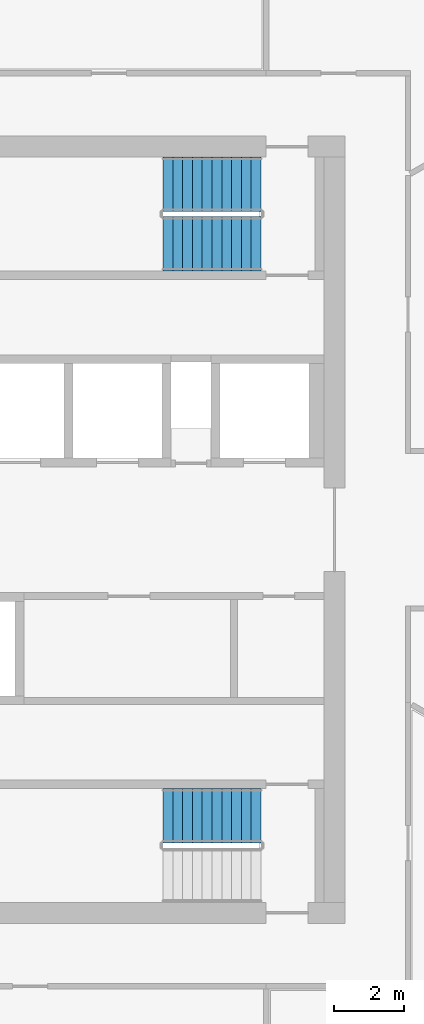
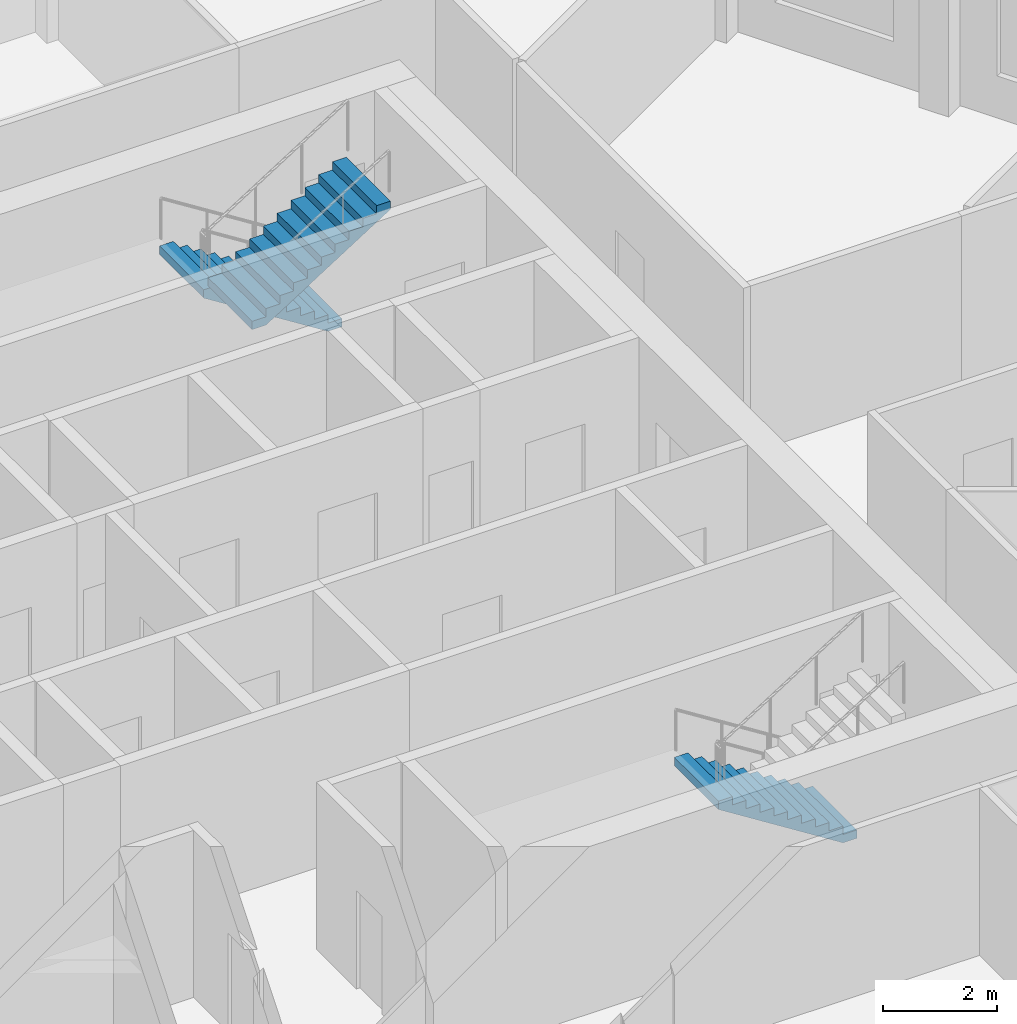
# One storey, part 7 of 10: 3 stair flights, 2 elements without a shape of their own.
"""IFC4 building model written with IfcOpenShell, lengths in metres."""

from ifc_helpers import new_model, si_unit, direction, frame, origin, place, context, subcontext, project, spatial, polyline, outline, extrude, material, type_object, element, aggregate, save


model = new_model("IFC4")

# Units and contexts
model_context = context("Model", 3, precision=1e-05, world=origin(), true_north=direction((0.0, 1.0)))
body_context = subcontext(model_context, "Body", "Model", "MODEL_VIEW")
ifc_project = project(units=[si_unit("LENGTHUNIT", "METRE"), si_unit("AREAUNIT", "SQUARE_METRE"), si_unit("VOLUMEUNIT", "CUBIC_METRE"), si_unit("PLANEANGLEUNIT", "RADIAN"), si_unit("MASSUNIT", "GRAM", prefix="KILO")], contexts=[model_context])

# Site, building, storey
site_placement = place(None, origin())
site = spatial("IfcSite", under=ifc_project, at=site_placement, CompositionType="ELEMENT")
building_placement = place(site_placement, origin())
building = spatial("IfcBuilding", under=site, at=building_placement, Name="Dhurran Vertical Campus", CompositionType="ELEMENT")
storey_placement = place(building_placement, frame((0.0, 0.0, 302.10009765625)))
storey = spatial("IfcBuildingStorey", under=building, at=storey_placement, Name="L75", CompositionType="ELEMENT", Elevation=302.10009765625)

# Stair, stair flights
ifc_material_1 = material(Name="Concrete C40/50", Category="concrete")
stair_type = type_object("IfcStairType", Name="co-ST-CORE", PredefinedType="HALF_TURN_STAIR", material=ifc_material_1)
stair_1_placement = place(storey_placement, origin())
stair_1 = element("IfcStair", 1, at=stair_1_placement, inside=storey, type_object=stair_type, Name="L75 Protected exit stair ST2", PredefinedType="HALF_TURN_STAIR")
ifc_material_2 = material(Name="Concrete C40/50", Category="concrete")
stair_flight_type = type_object("IfcStairFlightType", Name="co-SFL-RC", PredefinedType="STRAIGHT", material=ifc_material_2)
stair_flight_1_placement = place(storey_placement, frame((11.10009765625, 9.875, 0.0), z_axis=(0.0, 0.0, 1.0), x_axis=(-1.0, 0.0, 0.0)))
stair_flight_1 = element("IfcStairFlight", 2, at=stair_flight_1_placement, type_object=stair_flight_type, Name="ST2 flight 1", NumberOfRisers=11, NumberOfTreads=10, PredefinedType="STRAIGHT", RiserHeight=0.177272727, TreadLength=0.28, context=body_context, shape_type="SweptSolid", body=[
    extrude(outline(polyline([(0.0, 0.0), (0.0, 0.17724609375), (0.280029296875, 0.17724609375), (0.280029296875, 0.3544921875), (0.56005859375, 0.3544921875), (0.56005859375, 0.53173828125), (0.840087890625, 0.53173828125), (0.840087890625, 0.708984375), (1.1201171875, 0.708984375), (1.1201171875, 0.886474609375), (1.39990234375, 0.886474609375), (1.39990234375, 1.063720703125), (1.679931640625, 1.063720703125), (1.679931640625, 1.240966796875), (1.9599609375, 1.240966796875), (1.9599609375, 1.418212890625), (2.239990234375, 1.418212890625), (2.239990234375, 1.595458984375), (2.52001953125, 1.595458984375), (2.52001953125, 1.772705078125), (2.800048828125, 1.772705078125), (2.800048828125, 1.949951171875), (2.800048828125, 1.59521484375), (0.2802734375, 0.0), (0.0, 0.0)])), frame((0.0, 0.77490234375, 0.0), z_axis=(0.0, -1.0, 0.0), x_axis=(1.0, 0.0, 0.0)), (0.0, 0.0, 1.0), 1.550048828125),
])
stair_flight_2_placement = place(storey_placement, frame((8.300048828125, 8.175048828125, 1.949951171875), z_axis=(0.0, 0.0, 1.0), x_axis=(1.0, 0.0, 0.0)))
stair_flight_2 = element("IfcStairFlight", 3, at=stair_flight_2_placement, type_object=stair_flight_type, Name="ST2 flight 2", NumberOfRisers=11, NumberOfTreads=10, PredefinedType="STRAIGHT", RiserHeight=0.177272727, TreadLength=0.28, context=body_context, shape_type="SweptSolid", body=[
    extrude(outline(polyline([(0.0, 0.0), (0.0, 0.17724609375), (0.280029296875, 0.17724609375), (0.280029296875, 0.3544921875), (0.56005859375, 0.3544921875), (0.56005859375, 0.53173828125), (0.840087890625, 0.53173828125), (0.840087890625, 0.708984375), (1.1201171875, 0.708984375), (1.1201171875, 0.886474609375), (1.39990234375, 0.886474609375), (1.39990234375, 1.063720703125), (1.679931640625, 1.063720703125), (1.679931640625, 1.240966796875), (1.9599609375, 1.240966796875), (1.9599609375, 1.418212890625), (2.239990234375, 1.418212890625), (2.239990234375, 1.595458984375), (2.52001953125, 1.595458984375), (2.52001953125, 1.772705078125), (2.800048828125, 1.772705078125), (2.800048828125, 1.949951171875), (2.800048828125, 1.59521484375), (0.2802734375, 0.0), (0.0, 0.0)])), frame((0.0, 0.77490234375, 0.0), z_axis=(0.0, -1.0, 0.0), x_axis=(1.0, 0.0, 0.0)), (0.0, 0.0, 1.0), 1.550048828125),
])
aggregate(stair_1, [stair_flight_1, stair_flight_2])

# Stair, stair flight
stair_2_placement = place(storey_placement, origin())
stair_2 = element("IfcStair", 4, at=stair_2_placement, inside=storey, type_object=stair_type, Name="L75 Protected exit stair ST4", PredefinedType="HALF_TURN_STAIR")
stair_flight_3_placement = place(storey_placement, frame((11.10009765625, -8.175048828125, 0.0), z_axis=(0.0, 0.0, 1.0), x_axis=(-1.0, 0.0, 0.0)))
stair_flight_3 = element("IfcStairFlight", 5, at=stair_flight_3_placement, type_object=stair_flight_type, Name="ST4 flight 1", NumberOfRisers=11, NumberOfTreads=10, PredefinedType="STRAIGHT", RiserHeight=0.177272727, TreadLength=0.28, context=body_context, shape_type="SweptSolid", body=[
    extrude(outline(polyline([(0.0, 0.0), (0.0, 0.17724609375), (0.280029296875, 0.17724609375), (0.280029296875, 0.3544921875), (0.56005859375, 0.3544921875), (0.56005859375, 0.53173828125), (0.840087890625, 0.53173828125), (0.840087890625, 0.708984375), (1.1201171875, 0.708984375), (1.1201171875, 0.886474609375), (1.39990234375, 0.886474609375), (1.39990234375, 1.063720703125), (1.679931640625, 1.063720703125), (1.679931640625, 1.240966796875), (1.9599609375, 1.240966796875), (1.9599609375, 1.418212890625), (2.239990234375, 1.418212890625), (2.239990234375, 1.595458984375), (2.52001953125, 1.595458984375), (2.52001953125, 1.772705078125), (2.800048828125, 1.772705078125), (2.800048828125, 1.949951171875), (2.800048828125, 1.59521484375), (0.2802734375, 0.0), (0.0, 0.0)])), frame((0.0, 0.77490234375, 0.0), z_axis=(0.0, -1.0, 0.0), x_axis=(1.0, 0.0, 0.0)), (0.0, 0.0, 1.0), 1.550048828125),
])
aggregate(stair_2, [stair_flight_3])

save(model, "model.ifc")
